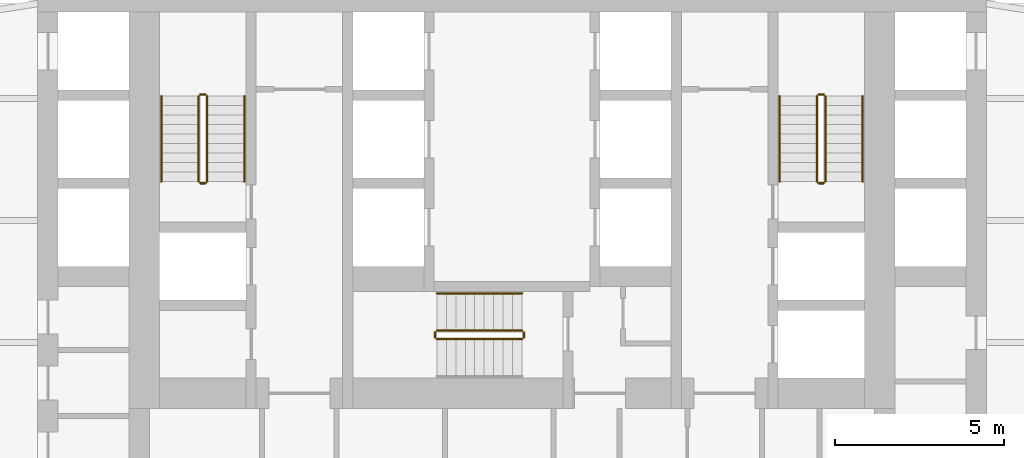
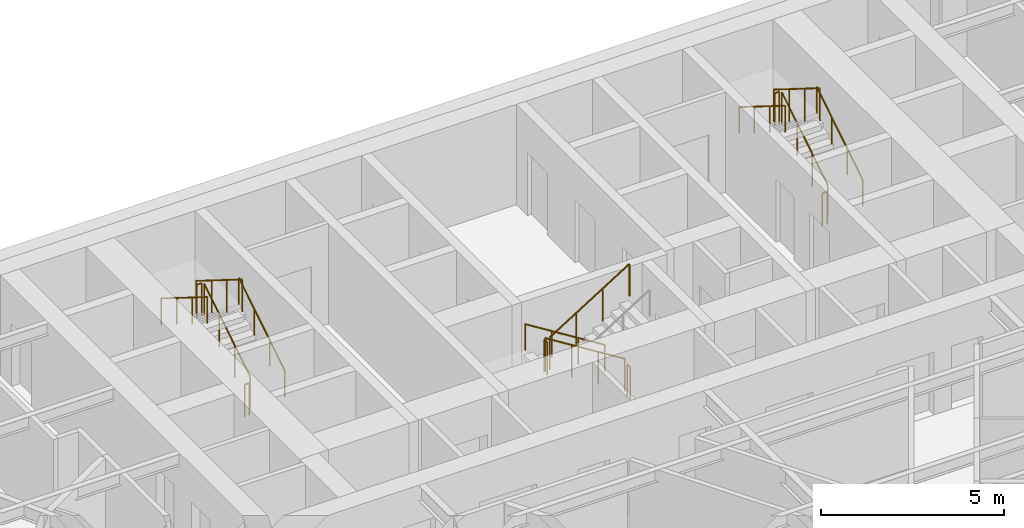
# One storey, part 9 of 9: 17 railings.
"""IFC4 building model written with IfcOpenShell, lengths in metres."""

from ifc_helpers import new_model, si_unit, direction, frame, origin, origin_2d, place, context, subcontext, project, spatial, circle, extrude, material, type_object, element, save


model = new_model("IFC4")

# Units and contexts
model_context = context("Model", 3, precision=1e-05, world=origin(), true_north=direction((0.0, 1.0)))
body_context = subcontext(model_context, "Body", "Model", "MODEL_VIEW")
ifc_project = project(units=[si_unit("LENGTHUNIT", "METRE"), si_unit("AREAUNIT", "SQUARE_METRE"), si_unit("VOLUMEUNIT", "CUBIC_METRE"), si_unit("PLANEANGLEUNIT", "RADIAN"), si_unit("MASSUNIT", "GRAM", prefix="KILO")], contexts=[model_context])

# Site, building, storey
site_placement = place(None, origin())
site = spatial("IfcSite", under=ifc_project, at=site_placement, CompositionType="ELEMENT")
building_placement = place(site_placement, origin())
building = spatial("IfcBuilding", under=site, at=building_placement, Name="Aloe Facet Convention Tower", CompositionType="ELEMENT")
storey_placement = place(building_placement, frame((0.0, 0.0, 99.300048828125)))
storey = spatial("IfcBuildingStorey", under=building, at=storey_placement, Name="L24", CompositionType="ELEMENT", Elevation=99.300048828125)

# Railings
ifc_material_1 = material(Name="Steel S355 balustrade", Category="steel")
railing_type_1 = type_object("IfcRailingType", Name="CR-RL-GUARD", PredefinedType="GUARDRAIL", material=ifc_material_1)
railing_1_placement = place(storey_placement, frame((71.0, 128.949951171875, 0.175048828125)))
element("IfcRailing", 1, at=railing_1_placement, inside=storey, type_object=railing_type_1, Name="L24 ST1 stair guard 1", PredefinedType="GUARDRAIL", context=body_context, shape_type="SweptSolid", body=[
    extrude(circle(Radius=0.02392578125, at=origin_2d()), frame((0.0, 0.0, 1.076171875), z_axis=(0.0, 0.848007534815, 0.529984170421), x_axis=(-1.0, 0.0, 0.0)), (0.0, 0.0, 1.0), 2.9716796875),
    extrude(circle(Radius=0.02099609375, at=origin_2d()), origin(), (0.0, 0.0, 1.0), 1.052001953125),
    extrude(circle(Radius=0.02099609375, at=origin_2d()), frame((0.0, 0.840087890625, 0.52490234375)), (0.0, 0.0, 1.0), 1.052001953125),
    extrude(circle(Radius=0.02099609375, at=origin_2d()), frame((0.0, 1.679931640625, 1.050048828125)), (0.0, 0.0, 1.0), 1.052001953125),
    extrude(circle(Radius=0.02099609375, at=origin_2d()), frame((0.0, 2.52001953125, 1.574951171875)), (0.0, 0.0, 1.0), 1.052001953125),
])
railing_2_placement = place(storey_placement, frame((70.949951171875, 131.52001953125, 1.75)))
element("IfcRailing", 2, at=railing_2_placement, inside=storey, type_object=railing_type_1, Name="L24 ST1 stair guard 2", PredefinedType="GUARDRAIL", context=body_context, shape_type="SweptSolid", body=[
    extrude(circle(Radius=0.02392578125, at=origin_2d()), frame((0.0, 0.0, 1.076171875), z_axis=(-1.0, 0.0, 0.0), x_axis=(0.0, -1.0, 0.0)), (0.0, 0.0, 1.0), 0.14990234375),
    extrude(circle(Radius=0.02099609375, at=origin_2d()), origin(), (0.0, 0.0, 1.0), 1.052001953125),
    extrude(circle(Radius=0.02099609375, at=origin_2d()), frame((-0.14990234375, 0.0, 0.0)), (0.0, 0.0, 1.0), 1.052001953125),
])
railing_3_placement = place(storey_placement, frame((70.75, 131.469970703125, 1.925048828125)))
element("IfcRailing", 3, at=railing_3_placement, inside=storey, type_object=railing_type_1, Name="L24 ST1 stair guard 3", PredefinedType="GUARDRAIL", context=body_context, shape_type="SweptSolid", body=[
    extrude(circle(Radius=0.02392578125, at=origin_2d()), frame((0.0, 0.0, 1.076171875), z_axis=(0.0, -0.848007534815, 0.529984170421), x_axis=(1.0, 0.0, 0.0)), (0.0, 0.0, 1.0), 2.9716796875),
    extrude(circle(Radius=0.02099609375, at=origin_2d()), origin(), (0.0, 0.0, 1.0), 1.052001953125),
    extrude(circle(Radius=0.02099609375, at=origin_2d()), frame((0.0, -0.840087890625, 0.52490234375)), (0.0, 0.0, 1.0), 1.052001953125),
    extrude(circle(Radius=0.02099609375, at=origin_2d()), frame((0.0, -1.679931640625, 1.050048828125)), (0.0, 0.0, 1.0), 1.052001953125),
    extrude(circle(Radius=0.02099609375, at=origin_2d()), frame((0.0, -2.52001953125, 1.574951171875)), (0.0, 0.0, 1.0), 1.052001953125),
])
railing_4_placement = place(storey_placement, frame((70.949951171875, 128.89990234375, 0.0)))
element("IfcRailing", 4, at=railing_4_placement, inside=storey, type_object=railing_type_1, Name="L24 ST1 stair guard 4", PredefinedType="GUARDRAIL", context=body_context, shape_type="SweptSolid", body=[
    extrude(circle(Radius=0.02392578125, at=origin_2d()), frame((0.0, 0.0, 1.076171875), z_axis=(-1.0, 0.0, 0.0), x_axis=(0.0, -1.0, 0.0)), (0.0, 0.0, 1.0), 0.14990234375),
    extrude(circle(Radius=0.02099609375, at=origin_2d()), origin(), (0.0, 0.0, 1.0), 1.052001953125),
    extrude(circle(Radius=0.02099609375, at=origin_2d()), frame((-0.14990234375, 0.0, 0.0)), (0.0, 0.0, 1.0), 1.052001953125),
])
railing_5_placement = place(storey_placement, frame((89.25, 128.949951171875, 0.175048828125)))
element("IfcRailing", 5, at=railing_5_placement, inside=storey, type_object=railing_type_1, Name="L24 ST2 stair guard 1", PredefinedType="GUARDRAIL", context=body_context, shape_type="SweptSolid", body=[
    extrude(circle(Radius=0.02392578125, at=origin_2d()), frame((0.0, 0.0, 1.076171875), z_axis=(0.0, 0.848007534815, 0.529984170421), x_axis=(-1.0, 0.0, 0.0)), (0.0, 0.0, 1.0), 2.9716796875),
    extrude(circle(Radius=0.02099609375, at=origin_2d()), origin(), (0.0, 0.0, 1.0), 1.052001953125),
    extrude(circle(Radius=0.02099609375, at=origin_2d()), frame((0.0, 0.840087890625, 0.52490234375)), (0.0, 0.0, 1.0), 1.052001953125),
    extrude(circle(Radius=0.02099609375, at=origin_2d()), frame((0.0, 1.679931640625, 1.050048828125)), (0.0, 0.0, 1.0), 1.052001953125),
    extrude(circle(Radius=0.02099609375, at=origin_2d()), frame((0.0, 2.52001953125, 1.574951171875)), (0.0, 0.0, 1.0), 1.052001953125),
])
railing_6_placement = place(storey_placement, frame((89.199951171875, 131.52001953125, 1.75)))
element("IfcRailing", 6, at=railing_6_placement, inside=storey, type_object=railing_type_1, Name="L24 ST2 stair guard 2", PredefinedType="GUARDRAIL", context=body_context, shape_type="SweptSolid", body=[
    extrude(circle(Radius=0.02392578125, at=origin_2d()), frame((0.0, 0.0, 1.076171875), z_axis=(-1.0, 0.0, 0.0), x_axis=(0.0, -1.0, 0.0)), (0.0, 0.0, 1.0), 0.14990234375),
    extrude(circle(Radius=0.02099609375, at=origin_2d()), origin(), (0.0, 0.0, 1.0), 1.052001953125),
    extrude(circle(Radius=0.02099609375, at=origin_2d()), frame((-0.14990234375, 0.0, 0.0)), (0.0, 0.0, 1.0), 1.052001953125),
])
railing_7_placement = place(storey_placement, frame((89.0, 131.469970703125, 1.925048828125)))
element("IfcRailing", 7, at=railing_7_placement, inside=storey, type_object=railing_type_1, Name="L24 ST2 stair guard 3", PredefinedType="GUARDRAIL", context=body_context, shape_type="SweptSolid", body=[
    extrude(circle(Radius=0.02392578125, at=origin_2d()), frame((0.0, 0.0, 1.076171875), z_axis=(0.0, -0.848007534815, 0.529984170421), x_axis=(1.0, 0.0, 0.0)), (0.0, 0.0, 1.0), 2.9716796875),
    extrude(circle(Radius=0.02099609375, at=origin_2d()), origin(), (0.0, 0.0, 1.0), 1.052001953125),
    extrude(circle(Radius=0.02099609375, at=origin_2d()), frame((0.0, -0.840087890625, 0.52490234375)), (0.0, 0.0, 1.0), 1.052001953125),
    extrude(circle(Radius=0.02099609375, at=origin_2d()), frame((0.0, -1.679931640625, 1.050048828125)), (0.0, 0.0, 1.0), 1.052001953125),
    extrude(circle(Radius=0.02099609375, at=origin_2d()), frame((0.0, -2.52001953125, 1.574951171875)), (0.0, 0.0, 1.0), 1.052001953125),
])
railing_8_placement = place(storey_placement, frame((89.199951171875, 128.89990234375, 0.0)))
element("IfcRailing", 8, at=railing_8_placement, inside=storey, type_object=railing_type_1, Name="L24 ST2 stair guard 4", PredefinedType="GUARDRAIL", context=body_context, shape_type="SweptSolid", body=[
    extrude(circle(Radius=0.02392578125, at=origin_2d()), frame((0.0, 0.0, 1.076171875), z_axis=(-1.0, 0.0, 0.0), x_axis=(0.0, -1.0, 0.0)), (0.0, 0.0, 1.0), 0.14990234375),
    extrude(circle(Radius=0.02099609375, at=origin_2d()), origin(), (0.0, 0.0, 1.0), 1.052001953125),
    extrude(circle(Radius=0.02099609375, at=origin_2d()), frame((-0.14990234375, 0.0, 0.0)), (0.0, 0.0, 1.0), 1.052001953125),
])
railing_9_placement = place(storey_placement, frame((80.300048828125, 124.550048828125, 0.175048828125)))
element("IfcRailing", 9, at=railing_9_placement, inside=storey, type_object=railing_type_1, Name="L24 ST3 stair guard 1", PredefinedType="GUARDRAIL", context=body_context, shape_type="SweptSolid", body=[
    extrude(circle(Radius=0.02392578125, at=origin_2d()), frame((0.0, 0.0, 1.076171875), z_axis=(-0.848007534815, 0.0, 0.529984170421), x_axis=(0.0, -1.0, 0.0)), (0.0, 0.0, 1.0), 2.9716796875),
    extrude(circle(Radius=0.02099609375, at=origin_2d()), origin(), (0.0, 0.0, 1.0), 1.052001953125),
    extrude(circle(Radius=0.02099609375, at=origin_2d()), frame((-0.840087890625, 0.0, 0.52490234375)), (0.0, 0.0, 1.0), 1.052001953125),
    extrude(circle(Radius=0.02099609375, at=origin_2d()), frame((-1.679931640625, 0.0, 1.050048828125)), (0.0, 0.0, 1.0), 1.052001953125),
    extrude(circle(Radius=0.02099609375, at=origin_2d()), frame((-2.52001953125, 0.0, 1.574951171875)), (0.0, 0.0, 1.0), 1.052001953125),
])
railing_10_placement = place(storey_placement, frame((77.72998046875, 124.5, 1.75)))
element("IfcRailing", 10, at=railing_10_placement, inside=storey, type_object=railing_type_1, Name="L24 ST3 stair guard 2", PredefinedType="GUARDRAIL", context=body_context, shape_type="SweptSolid", body=[
    extrude(circle(Radius=0.02392578125, at=origin_2d()), frame((0.0, 0.0, 1.076171875), z_axis=(0.0, -1.0, 0.0), x_axis=(1.0, 0.0, 0.0)), (0.0, 0.0, 1.0), 0.14990234375),
    extrude(circle(Radius=0.02099609375, at=origin_2d()), origin(), (0.0, 0.0, 1.0), 1.052001953125),
    extrude(circle(Radius=0.02099609375, at=origin_2d()), frame((0.0, -0.14990234375, 0.0)), (0.0, 0.0, 1.0), 1.052001953125),
])
railing_11_placement = place(storey_placement, frame((77.780029296875, 124.300048828125, 1.925048828125)))
element("IfcRailing", 11, at=railing_11_placement, inside=storey, type_object=railing_type_1, Name="L24 ST3 stair guard 3", PredefinedType="GUARDRAIL", context=body_context, shape_type="SweptSolid", body=[
    extrude(circle(Radius=0.02392578125, at=origin_2d()), frame((0.0, 0.0, 1.076171875), z_axis=(0.848007534815, 0.0, 0.529984170421), x_axis=(0.0, 1.0, 0.0)), (0.0, 0.0, 1.0), 2.9716796875),
    extrude(circle(Radius=0.02099609375, at=origin_2d()), origin(), (0.0, 0.0, 1.0), 1.052001953125),
    extrude(circle(Radius=0.02099609375, at=origin_2d()), frame((0.840087890625, 0.0, 0.52490234375)), (0.0, 0.0, 1.0), 1.052001953125),
    extrude(circle(Radius=0.02099609375, at=origin_2d()), frame((1.679931640625, 0.0, 1.050048828125)), (0.0, 0.0, 1.0), 1.052001953125),
    extrude(circle(Radius=0.02099609375, at=origin_2d()), frame((2.52001953125, 0.0, 1.574951171875)), (0.0, 0.0, 1.0), 1.052001953125),
])
railing_12_placement = place(storey_placement, frame((80.35009765625, 124.5, 0.0)))
element("IfcRailing", 12, at=railing_12_placement, inside=storey, type_object=railing_type_1, Name="L24 ST3 stair guard 4", PredefinedType="GUARDRAIL", context=body_context, shape_type="SweptSolid", body=[
    extrude(circle(Radius=0.02392578125, at=origin_2d()), frame((0.0, 0.0, 1.076171875), z_axis=(0.0, -1.0, 0.0), x_axis=(1.0, 0.0, 0.0)), (0.0, 0.0, 1.0), 0.14990234375),
    extrude(circle(Radius=0.02099609375, at=origin_2d()), origin(), (0.0, 0.0, 1.0), 1.052001953125),
    extrude(circle(Radius=0.02099609375, at=origin_2d()), frame((0.0, -0.14990234375, 0.0)), (0.0, 0.0, 1.0), 1.052001953125),
])
ifc_material_2 = material(Name="Steel S355 handrail", Category="steel")
railing_type_2 = type_object("IfcRailingType", Name="CR-RL-HAND", PredefinedType="HANDRAIL", material=ifc_material_2)
railing_13_placement = place(storey_placement, frame((72.10009765625, 128.949951171875, 0.175048828125)))
element("IfcRailing", 13, at=railing_13_placement, inside=storey, type_object=railing_type_2, Name="L24 ST1 stair handrail 1", PredefinedType="HANDRAIL", context=body_context, shape_type="SweptSolid", body=[
    extrude(circle(Radius=0.02392578125, at=origin_2d()), frame((0.0, 0.0, 0.8759765625), z_axis=(0.0, 0.848007534815, 0.529984170421), x_axis=(-1.0, 0.0, 0.0)), (0.0, 0.0, 1.0), 2.9716796875),
    extrude(circle(Radius=0.02099609375, at=origin_2d()), origin(), (0.0, 0.0, 1.0), 0.851806640625),
    extrude(circle(Radius=0.02099609375, at=origin_2d()), frame((0.0, 0.840087890625, 0.52490234375)), (0.0, 0.0, 1.0), 0.851806640625),
    extrude(circle(Radius=0.02099609375, at=origin_2d()), frame((0.0, 1.679931640625, 1.050048828125)), (0.0, 0.0, 1.0), 0.851806640625),
    extrude(circle(Radius=0.02099609375, at=origin_2d()), frame((0.0, 2.52001953125, 1.574951171875)), (0.0, 0.0, 1.0), 0.851806640625),
])
railing_14_placement = place(storey_placement, frame((69.64990234375, 131.469970703125, 1.925048828125)))
element("IfcRailing", 14, at=railing_14_placement, inside=storey, type_object=railing_type_2, Name="L24 ST1 stair handrail 2", PredefinedType="HANDRAIL", context=body_context, shape_type="SweptSolid", body=[
    extrude(circle(Radius=0.02392578125, at=origin_2d()), frame((0.0, 0.0, 0.8759765625), z_axis=(0.0, -0.848007534815, 0.529984170421), x_axis=(1.0, 0.0, 0.0)), (0.0, 0.0, 1.0), 2.9716796875),
    extrude(circle(Radius=0.02099609375, at=origin_2d()), origin(), (0.0, 0.0, 1.0), 0.851806640625),
    extrude(circle(Radius=0.02099609375, at=origin_2d()), frame((0.0, -0.840087890625, 0.52490234375)), (0.0, 0.0, 1.0), 0.851806640625),
    extrude(circle(Radius=0.02099609375, at=origin_2d()), frame((0.0, -1.679931640625, 1.050048828125)), (0.0, 0.0, 1.0), 0.851806640625),
    extrude(circle(Radius=0.02099609375, at=origin_2d()), frame((0.0, -2.52001953125, 1.574951171875)), (0.0, 0.0, 1.0), 0.851806640625),
])
railing_15_placement = place(storey_placement, frame((90.35009765625, 128.949951171875, 0.175048828125)))
element("IfcRailing", 15, at=railing_15_placement, inside=storey, type_object=railing_type_2, Name="L24 ST2 stair handrail 1", PredefinedType="HANDRAIL", context=body_context, shape_type="SweptSolid", body=[
    extrude(circle(Radius=0.02392578125, at=origin_2d()), frame((0.0, 0.0, 0.8759765625), z_axis=(0.0, 0.848007534815, 0.529984170421), x_axis=(-1.0, 0.0, 0.0)), (0.0, 0.0, 1.0), 2.9716796875),
    extrude(circle(Radius=0.02099609375, at=origin_2d()), origin(), (0.0, 0.0, 1.0), 0.851806640625),
    extrude(circle(Radius=0.02099609375, at=origin_2d()), frame((0.0, 0.840087890625, 0.52490234375)), (0.0, 0.0, 1.0), 0.851806640625),
    extrude(circle(Radius=0.02099609375, at=origin_2d()), frame((0.0, 1.679931640625, 1.050048828125)), (0.0, 0.0, 1.0), 0.851806640625),
    extrude(circle(Radius=0.02099609375, at=origin_2d()), frame((0.0, 2.52001953125, 1.574951171875)), (0.0, 0.0, 1.0), 0.851806640625),
])
railing_16_placement = place(storey_placement, frame((87.89990234375, 131.469970703125, 1.925048828125)))
element("IfcRailing", 16, at=railing_16_placement, inside=storey, type_object=railing_type_2, Name="L24 ST2 stair handrail 2", PredefinedType="HANDRAIL", context=body_context, shape_type="SweptSolid", body=[
    extrude(circle(Radius=0.02392578125, at=origin_2d()), frame((0.0, 0.0, 0.8759765625), z_axis=(0.0, -0.848007534815, 0.529984170421), x_axis=(1.0, 0.0, 0.0)), (0.0, 0.0, 1.0), 2.9716796875),
    extrude(circle(Radius=0.02099609375, at=origin_2d()), origin(), (0.0, 0.0, 1.0), 0.851806640625),
    extrude(circle(Radius=0.02099609375, at=origin_2d()), frame((0.0, -0.840087890625, 0.52490234375)), (0.0, 0.0, 1.0), 0.851806640625),
    extrude(circle(Radius=0.02099609375, at=origin_2d()), frame((0.0, -1.679931640625, 1.050048828125)), (0.0, 0.0, 1.0), 0.851806640625),
    extrude(circle(Radius=0.02099609375, at=origin_2d()), frame((0.0, -2.52001953125, 1.574951171875)), (0.0, 0.0, 1.0), 0.851806640625),
])
railing_17_placement = place(storey_placement, frame((80.300048828125, 125.64990234375, 0.175048828125)))
element("IfcRailing", 17, at=railing_17_placement, inside=storey, type_object=railing_type_2, Name="L24 ST3 stair handrail 1", PredefinedType="HANDRAIL", context=body_context, shape_type="SweptSolid", body=[
    extrude(circle(Radius=0.02392578125, at=origin_2d()), frame((0.0, 0.0, 0.8759765625), z_axis=(-0.848007534815, 0.0, 0.529984170421), x_axis=(0.0, -1.0, 0.0)), (0.0, 0.0, 1.0), 2.9716796875),
    extrude(circle(Radius=0.02099609375, at=origin_2d()), origin(), (0.0, 0.0, 1.0), 0.851806640625),
    extrude(circle(Radius=0.02099609375, at=origin_2d()), frame((-0.840087890625, 0.0, 0.52490234375)), (0.0, 0.0, 1.0), 0.851806640625),
    extrude(circle(Radius=0.02099609375, at=origin_2d()), frame((-1.679931640625, 0.0, 1.050048828125)), (0.0, 0.0, 1.0), 0.851806640625),
    extrude(circle(Radius=0.02099609375, at=origin_2d()), frame((-2.52001953125, 0.0, 1.574951171875)), (0.0, 0.0, 1.0), 0.851806640625),
])

save(model, "model.ifc")
